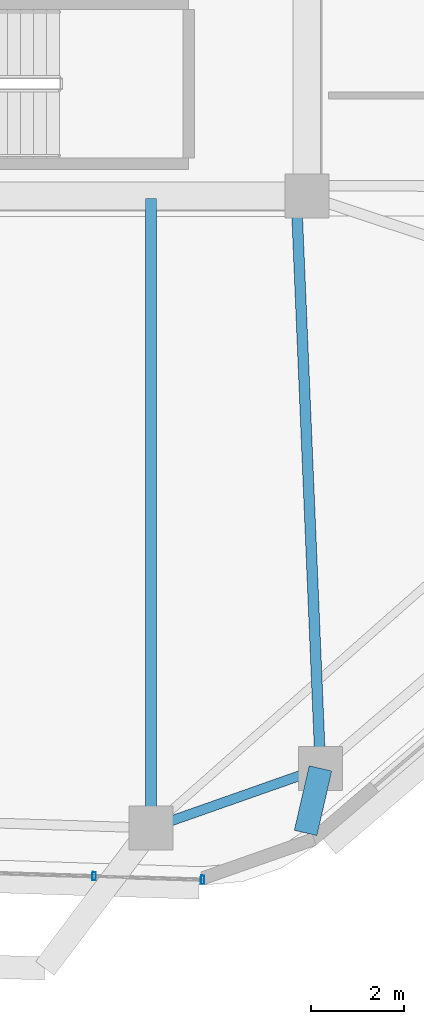
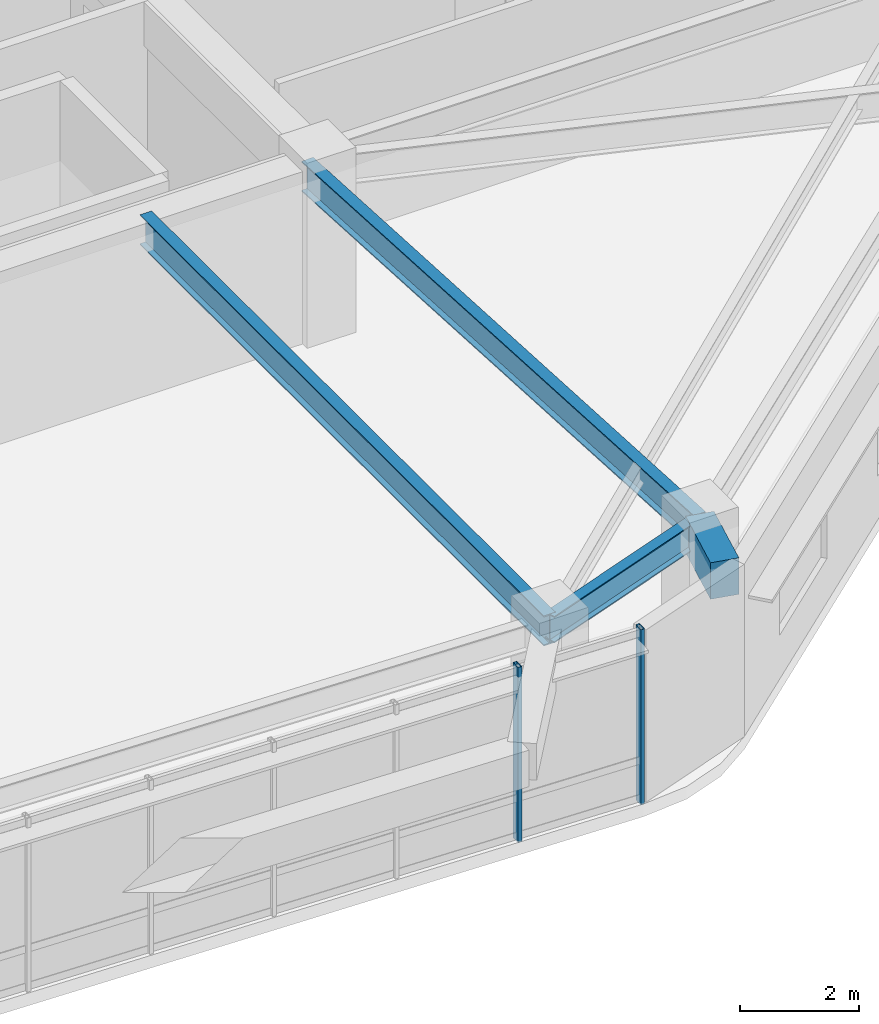
# One storey, part 5 of 12: 4 beams, 2 members, 1 element without a shape of its own.
"""IFC4 building model written with IfcOpenShell, lengths in metres."""

from ifc_helpers import new_model, si_unit, direction, frame, origin, origin_2d, place, context, subcontext, project, spatial, rectangle, hollow_rectangle, i_section, extrude, material, material_profile, profile_set, type_object, element, aggregate, save


model = new_model("IFC4")

# Units and contexts
model_context = context("Model", 3, precision=1e-05, world=origin(), true_north=direction((0.0, 1.0)))
body_context = subcontext(model_context, "Body", "Model", "MODEL_VIEW")
ifc_project = project(units=[si_unit("LENGTHUNIT", "METRE"), si_unit("AREAUNIT", "SQUARE_METRE"), si_unit("VOLUMEUNIT", "CUBIC_METRE"), si_unit("PLANEANGLEUNIT", "RADIAN"), si_unit("MASSUNIT", "GRAM", prefix="KILO")], contexts=[model_context])

# Site, building, storey
site_placement = place(None, origin())
site = spatial("IfcSite", under=ifc_project, at=site_placement, CompositionType="ELEMENT")
building_placement = place(site_placement, origin())
building = spatial("IfcBuilding", under=site, at=building_placement, Name="Zulverin Broadcast Headquarters", CompositionType="ELEMENT")
storey_placement = place(building_placement, frame((0.0, 0.0, 185.800048828125)))
storey = spatial("IfcBuildingStorey", under=building, at=storey_placement, Name="L47", CompositionType="ELEMENT", Elevation=185.800048828125)

# Beams
ifc_material_1 = material(Name="Concrete C40/50", Category="concrete")
ifc_material_profile_1 = material_profile(ifc_material_1, rectangle(XDim=0.5, YDim=0.75, at=origin_2d()), Name="Concrete C40/50", Category="concrete")
ifc_profile_set_1 = profile_set([ifc_material_profile_1], Name="Concrete C40/50")
beam_type_1 = type_object("IfcBeamType", Name="BM-RC-500x750", PredefinedType="BEAM", material=ifc_profile_set_1)
beam_1_placement = place(storey_placement, frame((48.569580078125, 4.967041015625, 3.1650390625), z_axis=(-0.224497908308, -0.974474570815, 0.0), x_axis=(0.974474570815, -0.224497908308, 0.0)))
element("IfcBeam", 1, at=beam_1_placement, inside=storey, type_object=beam_type_1, Name="L48 Plate Overhang Back-Spanned Beam OVR-03", PredefinedType="BEAM", context=body_context, shape_type="SweptSolid", body=[
    extrude(rectangle(XDim=0.5, YDim=0.75, at=origin_2d()), origin(), (0.0, 0.0, 1.0), 1.43017578125),
])
ifc_material_2 = material(Name="Structural steel S355JR", Category="steel")
ifc_material_profile_2 = material_profile(ifc_material_2, i_section(OverallWidth=0.2119140625, OverallDepth=0.54443359375, WebThickness=0.0126953125, FlangeThickness=0.021240234375, at=origin_2d()), Name="Structural steel S355JR", Category="steel")
ifc_profile_set_2 = profile_set([ifc_material_profile_2], Name="Structural steel S355JR")
beam_type_2 = type_object("IfcBeamType", Name="BM-UB-533", PredefinedType="SPANDREL", material=ifc_profile_set_2)
beam_2_placement = place(storey_placement, frame((44.909912109375, 3.68017578125, 3.267578125), z_axis=(0.943376593622, 0.331723684121, 0.0), x_axis=(-0.331723684121, 0.943376593622, 0.0)))
element("IfcBeam", 2, at=beam_2_placement, inside=storey, type_object=beam_type_2, Name="L47 Perimeter Spandrel Beam SP-02", PredefinedType="SPANDREL", context=body_context, shape_type="SweptSolid", body=[
    extrude(i_section(OverallWidth=0.2119140625, OverallDepth=0.54443359375, WebThickness=0.0126953125, FlangeThickness=0.021240234375, at=origin_2d()), origin(), (0.0, 0.0, 1.0), 3.87939453125),
])
ifc_material_profile_3 = material_profile(ifc_material_2, i_section(OverallWidth=0.230224609375, OverallDepth=0.6171875, WebThickness=0.01318359375, FlangeThickness=0.022216796875, at=origin_2d()), Name="Structural steel S355JR", Category="steel")
ifc_profile_set_3 = profile_set([ifc_material_profile_3], Name="Structural steel S355JR")
beam_type_3 = type_object("IfcBeamType", Name="BM-UB-610", PredefinedType="BEAM", material=ifc_profile_set_3)
beam_3_placement = place(storey_placement, frame((44.909912109375, 17.27490234375, 3.2314453125), z_axis=(0.0, -1.0, 0.0), x_axis=(1.0, 0.0, 0.0)))
element("IfcBeam", 3, at=beam_3_placement, inside=storey, type_object=beam_type_3, Name="L47 Radial Primary Floor Beam RB-02", PredefinedType="BEAM", context=body_context, shape_type="SweptSolid", body=[
    extrude(i_section(OverallWidth=0.230224609375, OverallDepth=0.6171875, WebThickness=0.01318359375, FlangeThickness=0.022216796875, at=origin_2d()), origin(), (0.0, 0.0, 1.0), 13.5947265625),
])
beam_4_placement = place(storey_placement, frame((48.050048828125, 17.27490234375, 3.2314453125), z_axis=(0.042173778549, -0.99911029041, 0.0), x_axis=(0.99911029041, 0.042173778549, 0.0)))
element("IfcBeam", 4, at=beam_4_placement, inside=storey, type_object=beam_type_3, Name="L47 Radial Primary Floor Beam RB-03", PredefinedType="BEAM", context=body_context, shape_type="SweptSolid", body=[
    extrude(i_section(OverallWidth=0.230224609375, OverallDepth=0.6171875, WebThickness=0.01318359375, FlangeThickness=0.022216796875, at=origin_2d()), origin(), (0.0, 0.0, 1.0), 12.31884765625),
])

# Curtain wall, members
ifc_material_3 = material(Name="Waist wind-pressure unitised curtain wall", Category="aluminium")
curtain_wall_type = type_object("IfcCurtainWallType", Name="CW-TWR-WST", PredefinedType="USERDEFINED", material=ifc_material_3)
curtain_wall_placement = place(storey_placement, origin())
curtain_wall = element("IfcCurtainWall", 5, at=curtain_wall_placement, inside=storey, type_object=curtain_wall_type, Name="L47 Unitised Curtain Wall CW-L47-E1", ObjectType="UNITISED CURTAIN WALL", PredefinedType="USERDEFINED")
ifc_material_4 = material(Name="Anodized pale-metal aluminium alloy 6063-T6", Category="aluminium")
ifc_material_profile_4 = material_profile(ifc_material_4, hollow_rectangle(XDim=0.074951171875, YDim=0.179931640625, WallThickness=0.0048828125, at=origin_2d()), Name="Anodized pale-metal aluminium alloy 6063-T6", Category="aluminium")
ifc_profile_set_4 = profile_set([ifc_material_profile_4], Name="Anodized pale-metal aluminium alloy 6063-T6")
member_type = type_object("IfcMemberType", Name="CW-MUL-180", PredefinedType="MULLION", material=ifc_profile_set_4)
member_1_placement = place(storey_placement, frame((43.681884765625, 2.638671875, -0.030029296875), z_axis=(0.0, 0.0, 1.0), x_axis=(0.999497141269, -0.031709061709, 0.0)))
member_1 = element("IfcMember", 6, at=member_1_placement, type_object=member_type, Name="CW-L47-E1 Mullion 06", PredefinedType="MULLION", context=body_context, shape_type="SweptSolid", body=[
    extrude(hollow_rectangle(XDim=0.074951171875, YDim=0.179931640625, WallThickness=0.0048828125, at=origin_2d()), origin(), (0.0, 0.0, 1.0), 3.60009765625),
])
member_2_placement = place(storey_placement, frame((46.02490234375, 2.564208984375, -0.030029296875), z_axis=(0.0, 0.0, 1.0), x_axis=(0.999497141269, -0.031709061709, 0.0)))
member_2 = element("IfcMember", 7, at=member_2_placement, type_object=member_type, Name="CW-L47-E1 Mullion 07", PredefinedType="MULLION", context=body_context, shape_type="SweptSolid", body=[
    extrude(hollow_rectangle(XDim=0.074951171875, YDim=0.179931640625, WallThickness=0.0048828125, at=origin_2d()), origin(), (0.0, 0.0, 1.0), 3.60009765625),
])
aggregate(curtain_wall, [member_1, member_2])

save(model, "model.ifc")
